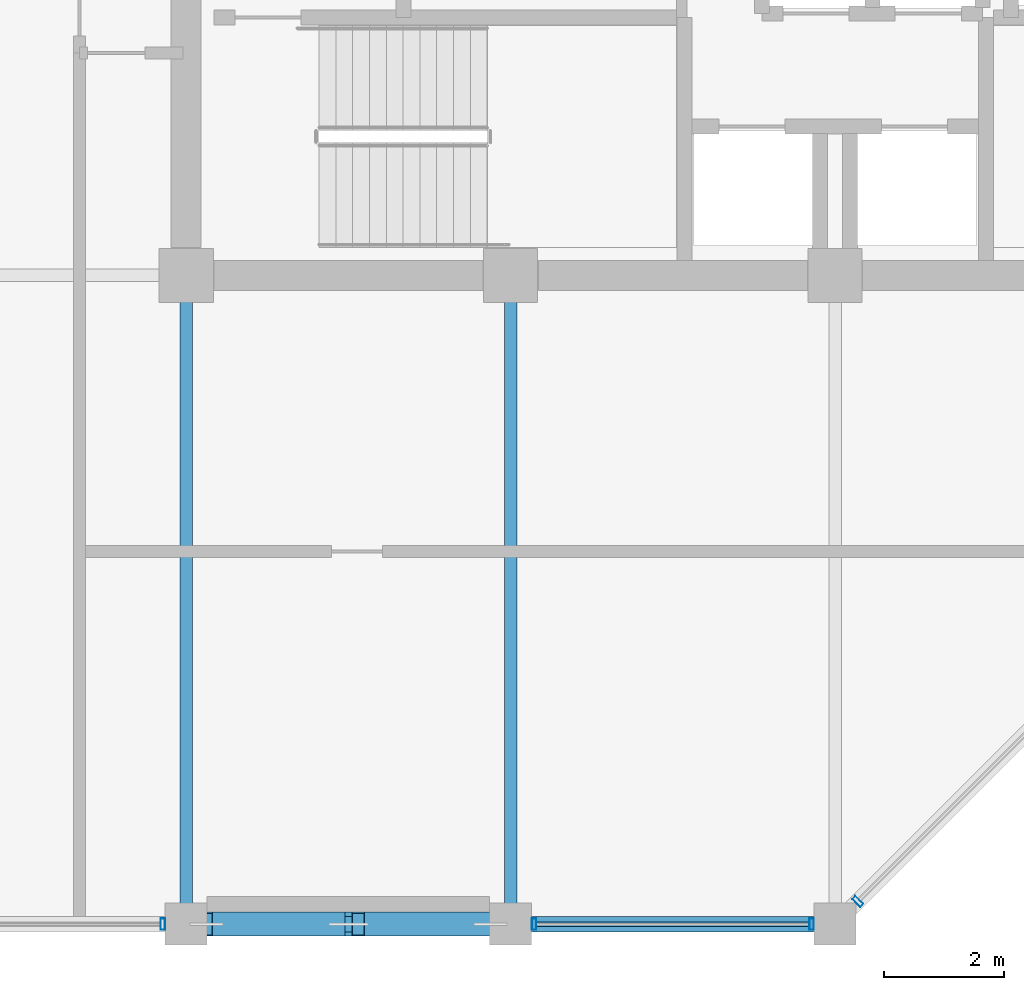
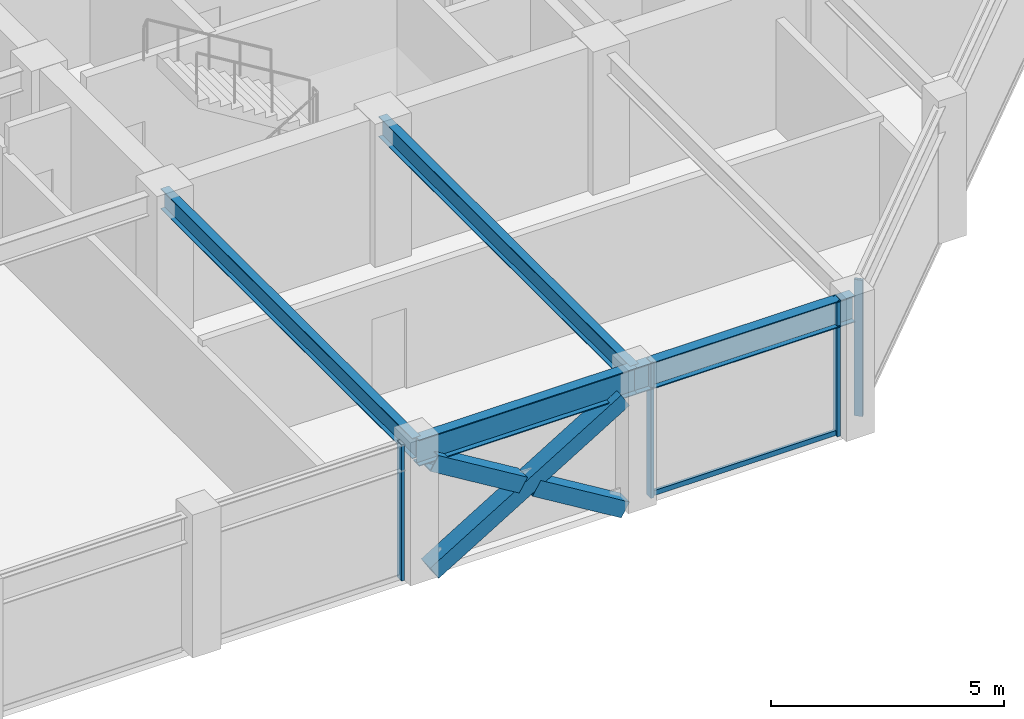
# One storey, part 6 of 29: 8 members, 4 beams, 3 elements without a shape of their own.
"""IFC4 building model written with IfcOpenShell, lengths in metres."""

from ifc_helpers import new_model, si_unit, direction, frame, origin, origin_2d, place, context, subcontext, project, spatial, hollow_rectangle, i_section, extrude, material, layer, layer_set, material_profile, profile_set, type_object, element, aggregate, save


model = new_model("IFC4")

# Units and contexts
model_context = context("Model", 3, precision=1e-05, world=origin(), true_north=direction((0.0, 1.0)))
body_context = subcontext(model_context, "Body", "Model", "MODEL_VIEW")
ifc_project = project(units=[si_unit("LENGTHUNIT", "METRE"), si_unit("AREAUNIT", "SQUARE_METRE"), si_unit("VOLUMEUNIT", "CUBIC_METRE"), si_unit("PLANEANGLEUNIT", "RADIAN"), si_unit("MASSUNIT", "GRAM", prefix="KILO")], contexts=[model_context])

# Site, building, storey
site_placement = place(None, origin())
site = spatial("IfcSite", under=ifc_project, at=site_placement, CompositionType="ELEMENT")
building_placement = place(site_placement, origin())
building = spatial("IfcBuilding", under=site, at=building_placement, Name="Surkhivell Harbour Commons", CompositionType="ELEMENT")
storey_placement = place(building_placement, frame((0.0, 0.0, 273.75)))
storey = spatial("IfcBuildingStorey", under=building, at=storey_placement, Name="L71", CompositionType="ELEMENT", Elevation=273.75)

# Beams
ifc_material_1 = material(Name="Steel S355", Category="steel")
ifc_material_profile_1 = material_profile(ifc_material_1, i_section(OverallWidth=0.2099609375, OverallDepth=0.537109375, WebThickness=0.0107421875, FlangeThickness=0.017333984375, at=origin_2d()), Name="UB533x210x101")
ifc_profile_set_1 = profile_set([ifc_material_profile_1], Name="Steel S355")
beam_type_1 = type_object("IfcBeamType", Name="BM-GRD-533B", PredefinedType="BEAM", material=ifc_profile_set_1)
for number, where, z_axis, x_axis, name in (
    (1, (-10.800048828125, -21.60009765625, 3.301513671875), (0.0, 1.0, 0.0), (-1.0, 0.0, 0.0), "L71 Floor Girder (-10.8,-21.6)"),
    (2, (-5.39990234375, -21.60009765625, 3.301513671875), (0.0, 1.0, 0.0), (-1.0, 0.0, 0.0), "L71 Floor Girder (-5.4,-21.6)"),
):
    element("IfcBeam", number, at=place(storey_placement, frame(where, z_axis=z_axis, x_axis=x_axis)), inside=storey, type_object=beam_type_1, Name=name, PredefinedType="BEAM", context=body_context, shape_type="SweptSolid", body=[
        extrude(i_section(OverallWidth=0.2099609375, OverallDepth=0.537109375, WebThickness=0.0107421875, FlangeThickness=0.017333984375, at=origin_2d()), origin(), (0.0, 0.0, 1.0), 10.800048828125),
    ])
ifc_material_profile_2 = material_profile(ifc_material_1, i_section(OverallWidth=0.256103515625, OverallDepth=0.693115234375, WebThickness=0.014404296875, FlangeThickness=0.023681640625, at=origin_2d()), Name="UB686x254x170")
ifc_profile_set_2 = profile_set([ifc_material_profile_2], Name="Steel S355")
beam_type_2 = type_object("IfcBeamType", Name="BM-SPN-686", PredefinedType="SPANDREL", material=ifc_profile_set_2)
beam_1_placement = place(storey_placement, frame((-10.800048828125, -21.60009765625, 3.223388671875), z_axis=(1.0, 0.0, 0.0), x_axis=(0.0, 1.0, 0.0)))
element("IfcBeam", 3, at=beam_1_placement, inside=storey, type_object=beam_type_2, Name="L71 Tube Spandrel (-10.8,-21.6)", PredefinedType="SPANDREL", context=body_context, shape_type="SweptSolid", body=[
    extrude(i_section(OverallWidth=0.256103515625, OverallDepth=0.693115234375, WebThickness=0.014404296875, FlangeThickness=0.023681640625, at=origin_2d()), origin(), (0.0, 0.0, 1.0), 5.400146484375),
])
beam_2_placement = place(storey_placement, frame((-5.39990234375, -21.60009765625, 3.223388671875), z_axis=(1.0, 0.0, 0.0), x_axis=(0.0, 1.0, 0.0)))
element("IfcBeam", 4, at=beam_2_placement, inside=storey, type_object=beam_type_2, Name="L71 Tube Spandrel (-5.4,-21.6)", PredefinedType="SPANDREL", context=body_context, shape_type="SweptSolid", body=[
    extrude(i_section(OverallWidth=0.256103515625, OverallDepth=0.693115234375, WebThickness=0.014404296875, FlangeThickness=0.023681640625, at=origin_2d()), origin(), (0.0, 0.0, 1.0), 5.39990234375),
])

# Curtain wall, member
ifc_material_2 = material(Name="Anodised pale-metal aluminium and insulated glazing", Category="aluminium")
ifc_layer = layer(ifc_material_2, 0.175048828125)
ifc_layer_set = layer_set([ifc_layer], Name="Anodised pale-metal aluminium and insulated glazing")
curtain_wall_type = type_object("IfcCurtainWallType", Name="CW-SYS-Z4", PredefinedType="NOTDEFINED", material=ifc_layer_set)
curtain_wall_1_placement = place(storey_placement, origin())
curtain_wall_1 = element("IfcCurtainWall", 5, at=curtain_wall_1_placement, inside=storey, type_object=curtain_wall_type, Name="L71 Curtain Wall CW-L71-E00S1", PredefinedType="NOTDEFINED")
ifc_material_3 = material(Name="Anodised pale-metal aluminium alloy 6063-T6", Category="aluminium")
ifc_material_profile_3 = material_profile(ifc_material_3, hollow_rectangle(XDim=0.074951171875, YDim=0.18994140625, WallThickness=0.00390625, at=origin_2d()), Name="ALU-MULL-75x190")
ifc_profile_set_3 = profile_set([ifc_material_profile_3], Name="Anodised pale-metal aluminium alloy 6063-T6")
member_type_1 = type_object("IfcMemberType", Name="CWM-190", PredefinedType="MULLION", material=ifc_profile_set_3)
member_1_placement = place(storey_placement, frame((-11.189453125, -21.60009765625, 0.0), z_axis=(0.0, 0.0, 1.0), x_axis=(1.0, 0.0, 0.0)))
member_1 = element("IfcMember", 6, at=member_1_placement, type_object=member_type_1, Name="CW-Z4 mullion 3", PredefinedType="MULLION", context=body_context, shape_type="SweptSolid", body=[
    extrude(hollow_rectangle(XDim=0.074951171875, YDim=0.18994140625, WallThickness=0.00390625, at=origin_2d()), origin(), (0.0, 0.0, 1.0), 3.570068359375),
])
aggregate(curtain_wall_1, [member_1])

# Curtain wall, members
curtain_wall_2_placement = place(storey_placement, origin())
curtain_wall_2 = element("IfcCurtainWall", 7, at=curtain_wall_2_placement, inside=storey, type_object=curtain_wall_type, Name="L71 Curtain Wall CW-L71-E00S2", PredefinedType="NOTDEFINED")
member_2_placement = place(storey_placement, frame((-5.010498046875, -21.60009765625, 0.0), z_axis=(0.0, 0.0, 1.0), x_axis=(1.0, 0.0, 0.0)))
member_2 = element("IfcMember", 8, at=member_2_placement, type_object=member_type_1, Name="CW-Z4 mullion 1", PredefinedType="MULLION", context=body_context, shape_type="SweptSolid", body=[
    extrude(hollow_rectangle(XDim=0.074951171875, YDim=0.18994140625, WallThickness=0.00390625, at=origin_2d()), origin(), (0.0, 0.0, 1.0), 3.570068359375),
])
member_3_placement = place(storey_placement, frame((-0.389404296875, -21.60009765625, 0.0), z_axis=(0.0, 0.0, 1.0), x_axis=(1.0, 0.0, 0.0)))
member_3 = element("IfcMember", 9, at=member_3_placement, type_object=member_type_1, Name="CW-Z4 mullion 2", PredefinedType="MULLION", context=body_context, shape_type="SweptSolid", body=[
    extrude(hollow_rectangle(XDim=0.074951171875, YDim=0.18994140625, WallThickness=0.00390625, at=origin_2d()), origin(), (0.0, 0.0, 1.0), 3.570068359375),
])

# Curtain wall, member
curtain_wall_3_placement = place(storey_placement, origin())
curtain_wall_3 = element("IfcCurtainWall", 10, at=curtain_wall_3_placement, inside=storey, type_object=curtain_wall_type, Name="L71 Curtain Wall CW-L71-E01", PredefinedType="NOTDEFINED")
member_4_placement = place(storey_placement, frame((0.378173828125, -21.221923828125, 0.0), z_axis=(0.0, 0.0, 1.0), x_axis=(0.707106781187, 0.707106781187, 0.0)))
member_4 = element("IfcMember", 11, at=member_4_placement, type_object=member_type_1, Name="CW-Z4 mullion 1", PredefinedType="MULLION", context=body_context, shape_type="SweptSolid", body=[
    extrude(hollow_rectangle(XDim=0.074951171875, YDim=0.18994140625, WallThickness=0.00390625, at=origin_2d()), origin(), (0.0, 0.0, 1.0), 3.570068359375),
])
aggregate(curtain_wall_3, [member_4])

# Member
ifc_material_4 = material(Name="Champagne anodised aluminium alloy 6063-T6", Category="aluminium")
ifc_material_profile_4 = material_profile(ifc_material_4, hollow_rectangle(XDim=0.070068359375, YDim=0.1298828125, WallThickness=0.00341796875, at=origin_2d()), Name="ALU-TRAN-70x130")
ifc_profile_set_4 = profile_set([ifc_material_profile_4], Name="Champagne anodised aluminium alloy 6063-T6")
member_type_2 = type_object("IfcMemberType", Name="CWT-130", PredefinedType="USERDEFINED", material=ifc_profile_set_4)
member_5_placement = place(storey_placement, frame((-4.972900390625, -21.60009765625, 0.06494140625), z_axis=(1.0, 0.0, 0.0), x_axis=(0.0, 1.0, 0.0)))
member_5 = element("IfcMember", 12, at=member_5_placement, type_object=member_type_2, Name="CW-Z4 transom 1.1", ObjectType="TRANSOM", PredefinedType="USERDEFINED", context=body_context, shape_type="SweptSolid", body=[
    extrude(hollow_rectangle(XDim=0.070068359375, YDim=0.1298828125, WallThickness=0.00341796875, at=origin_2d()), origin(), (0.0, 0.0, 1.0), 4.5458984375),
])

aggregate(curtain_wall_2, [member_2, member_3, member_5])

# Members
ifc_material_5 = material(Name="Steel S460", Category="steel")
ifc_material_profile_5 = material_profile(ifc_material_5, hollow_rectangle(XDim=0.39990234375, YDim=0.39990234375, WallThickness=0.02001953125, at=origin_2d()), Name="SHS400x400x20")
ifc_profile_set_5 = profile_set([ifc_material_profile_5], Name="Steel S460")
member_type_3 = type_object("IfcMemberType", Name="MEM-BRC-SHS400", PredefinedType="BRACE", material=ifc_profile_set_5)
member_6_placement = place(storey_placement, frame((-10.465087890625, -21.60009765625, 0.008056640625), z_axis=(0.854685454322, 0.0, 0.519146197299), x_axis=(0.0, 1.0, 0.0)))
element("IfcMember", 13, at=member_6_placement, inside=storey, type_object=member_type_3, Name="L71 Perimeter Mega-Brace MB- 07", PredefinedType="BRACE", context=body_context, shape_type="SweptSolid", body=[
    extrude(hollow_rectangle(XDim=0.39990234375, YDim=0.39990234375, WallThickness=0.02001953125, at=origin_2d()), origin(), (0.0, 0.0, 1.0), 5.5341796875),
])
member_7_placement = place(storey_placement, frame((-5.735107421875, -21.60009765625, 0.008056640625), z_axis=(-0.854694361898, 0.0, 0.519131532215), x_axis=(0.0, -1.0, 0.0)))
element("IfcMember", 14, at=member_7_placement, inside=storey, type_object=member_type_3, Name="L71 Perimeter Mega-Brace MB- 08", PredefinedType="BRACE", context=body_context, shape_type="SweptSolid", body=[
    extrude(hollow_rectangle(XDim=0.39990234375, YDim=0.39990234375, WallThickness=0.02001953125, at=origin_2d()), origin(), (0.0, 0.0, 1.0), 2.57470703125),
])
member_8_placement = place(storey_placement, frame((-8.26416015625, -21.60009765625, 1.544189453125), z_axis=(-0.854677846108, 0.0, 0.519158722716), x_axis=(0.0, -1.0, 0.0)))
element("IfcMember", 15, at=member_8_placement, inside=storey, type_object=member_type_3, Name="L71 Perimeter Mega-Brace MB- 09", PredefinedType="BRACE", context=body_context, shape_type="SweptSolid", body=[
    extrude(hollow_rectangle(XDim=0.39990234375, YDim=0.39990234375, WallThickness=0.02001953125, at=origin_2d()), origin(), (0.0, 0.0, 1.0), 2.5751953125),
])

save(model, "model.ifc")
